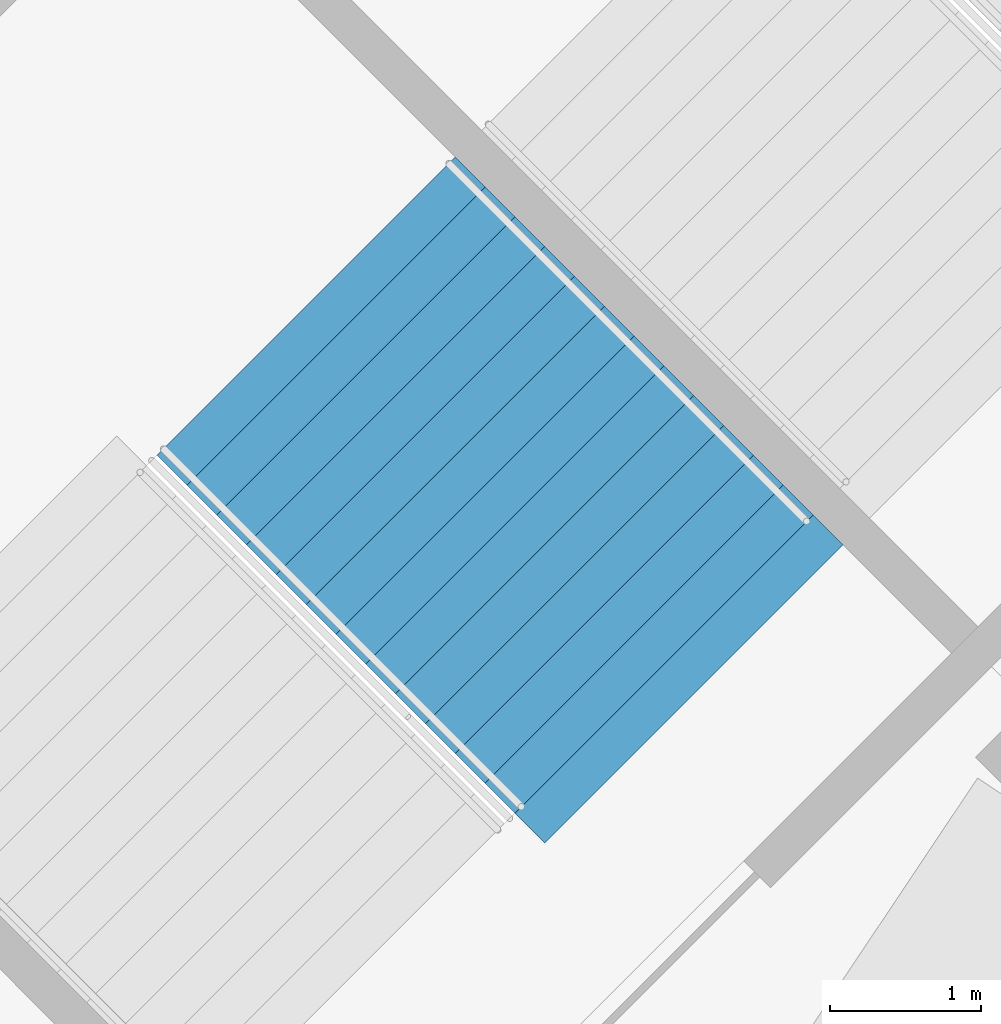
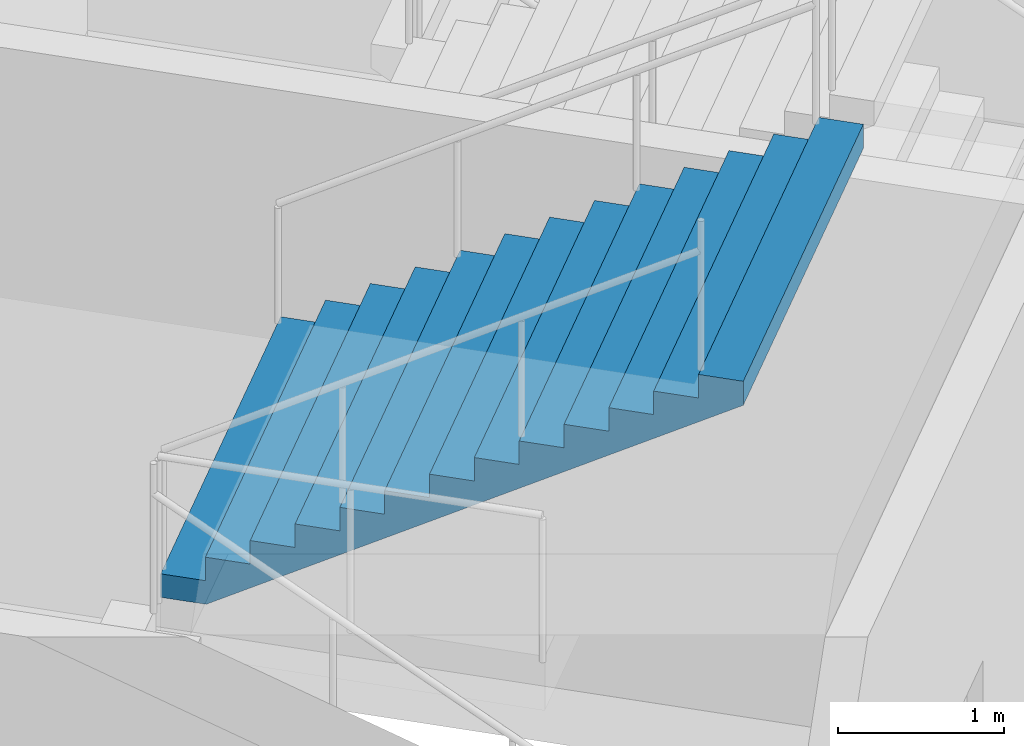
# One storey, part 156 of 199: 1 stair flight, 1 element without a shape of its own.
"""IFC4 building model written with IfcOpenShell, lengths in metres."""

from ifc_helpers import new_model, si_unit, direction, frame, origin, place, context, subcontext, project, spatial, faceted_brep, material, type_object, element, aggregate, save


model = new_model("IFC4")

# Units and contexts
model_context = context("Model", 3, precision=1e-05, world=origin(), true_north=direction((0.0, 1.0)))
body_context = subcontext(model_context, "Body", "Model", "MODEL_VIEW")
ifc_project = project(units=[si_unit("LENGTHUNIT", "METRE"), si_unit("AREAUNIT", "SQUARE_METRE"), si_unit("VOLUMEUNIT", "CUBIC_METRE"), si_unit("PLANEANGLEUNIT", "RADIAN"), si_unit("MASSUNIT", "GRAM", prefix="KILO")], contexts=[model_context])

# Site, building, storey
site_placement = place(None, origin())
site = spatial("IfcSite", under=ifc_project, at=site_placement, CompositionType="ELEMENT")
building_placement = place(site_placement, origin())
building = spatial("IfcBuilding", under=site, at=building_placement, Name="Ogive Plaza Stadium", CompositionType="ELEMENT")
storey_placement = place(building_placement, frame((0.0, 0.0, 9.0)))
storey = spatial("IfcBuildingStorey", under=building, at=storey_placement, Name="L02", CompositionType="ELEMENT", Elevation=9.0)

# Stair, stair flight
ifc_material_1 = material(Name="Concrete C40/50", Category="concrete")
stair_type = type_object("IfcStairType", Name="Exit stair", PredefinedType="STRAIGHT_RUN_STAIR", material=ifc_material_1)
stair_placement = place(storey_placement, origin())
stair = element("IfcStair", 1, at=stair_placement, inside=storey, type_object=stair_type, Name="Exit stair ST30B L02 to L03", PredefinedType="STRAIGHT_RUN_STAIR")
ifc_material_2 = material(Name="Concrete C40/50", Category="concrete")
stair_flight_type = type_object("IfcStairFlightType", Name="Exit stair flight", PredefinedType="STRAIGHT", material=ifc_material_2)
stair_flight_placement = place(storey_placement, frame((-67.400146484375, 83.743408203125, 2.25), z_axis=(0.0, 0.0, 1.0), x_axis=(0.707106781187, -0.707106781187, 0.0)))
stair_flight = element("IfcStairFlight", 2, at=stair_flight_placement, type_object=stair_flight_type, Name="ST30B flight 2", NumberOfRisers=13, NumberOfTreads=12, PredefinedType="STRAIGHT", RiserHeight=0.173076923, TreadLength=0.28, context=body_context, shape_type="Brep", body=[
    faceted_brep([(0.28515625, -1.39990234375, 0.0), (3.639892578125, -1.39990234375, 2.07373046875), (3.639892578125, -1.39990234375, 2.25), (3.360107421875, -1.39990234375, 2.25), (3.360107421875, -1.39990234375, 2.076904296875), (3.080078125, -1.39990234375, 2.076904296875), (3.080078125, -1.39990234375, 1.90380859375), (2.800048828125, -1.39990234375, 1.90380859375), (2.800048828125, -1.39990234375, 1.730712890625), (2.52001953125, -1.39990234375, 1.730712890625), (2.52001953125, -1.39990234375, 1.5576171875), (2.239990234375, -1.39990234375, 1.5576171875), (2.239990234375, -1.39990234375, 1.384521484375), (1.9599609375, -1.39990234375, 1.384521484375), (1.9599609375, -1.39990234375, 1.21142578125), (1.679931640625, -1.39990234375, 1.21142578125), (1.679931640625, -1.39990234375, 1.03857421875), (1.39990234375, -1.39990234375, 1.03857421875), (1.39990234375, -1.39990234375, 0.865478515625), (1.1201171875, -1.39990234375, 0.865478515625), (1.1201171875, -1.39990234375, 0.6923828125), (0.840087890625, -1.39990234375, 0.6923828125), (0.840087890625, -1.39990234375, 0.519287109375), (0.56005859375, -1.39990234375, 0.519287109375), (0.56005859375, -1.39990234375, 0.34619140625), (0.280029296875, -1.39990234375, 0.34619140625), (0.280029296875, -1.39990234375, 0.173095703125), (0.0, -1.39990234375, 0.173095703125), (0.0, -1.39990234375, 0.0), (0.0, 1.39990234375, 0.0), (0.0, 1.39990234375, 0.173095703125), (0.280029296875, 1.39990234375, 0.173095703125), (0.280029296875, 1.39990234375, 0.34619140625), (0.56005859375, 1.39990234375, 0.34619140625), (0.56005859375, 1.39990234375, 0.519287109375), (0.840087890625, 1.39990234375, 0.519287109375), (0.840087890625, 1.39990234375, 0.6923828125), (1.1201171875, 1.39990234375, 0.6923828125), (1.1201171875, 1.39990234375, 0.865478515625), (1.39990234375, 1.39990234375, 0.865478515625), (1.39990234375, 1.39990234375, 1.03857421875), (1.679931640625, 1.39990234375, 1.03857421875), (1.679931640625, 1.39990234375, 1.21142578125), (1.9599609375, 1.39990234375, 1.21142578125), (1.9599609375, 1.39990234375, 1.384521484375), (2.239990234375, 1.39990234375, 1.384521484375), (2.239990234375, 1.39990234375, 1.5576171875), (2.52001953125, 1.39990234375, 1.5576171875), (2.52001953125, 1.39990234375, 1.730712890625), (2.800048828125, 1.39990234375, 1.730712890625), (2.800048828125, 1.39990234375, 1.90380859375), (3.080078125, 1.39990234375, 1.90380859375), (3.080078125, 1.39990234375, 2.076904296875), (3.360107421875, 1.39990234375, 2.076904296875), (3.360107421875, 1.39990234375, 2.25), (3.639892578125, 1.39990234375, 2.25), (3.639892578125, 1.39990234375, 2.07373046875), (0.28515625, 1.39990234375, 0.0), (0.28515625, -1.0888671875, 0.0), (3.639892578125, -1.0888671875, 2.07373046875), (0.28515625, -0.77783203125, 0.0), (3.639892578125, -0.77783203125, 2.07373046875), (0.28515625, -0.466796875, 0.0), (3.639892578125, -0.466796875, 2.07373046875), (0.28515625, -0.155517578125, 0.0), (3.639892578125, -0.155517578125, 2.07373046875), (0.28515625, 0.155517578125, 0.0), (3.639892578125, 0.155517578125, 2.07373046875), (0.28515625, 0.466796875, 0.0), (3.639892578125, 0.466796875, 2.07373046875), (0.28515625, 0.77783203125, 0.0), (3.639892578125, 0.77783203125, 2.07373046875), (0.28515625, 1.0888671875, 0.0), (3.639892578125, 1.0888671875, 2.07373046875), (3.639892578125, -1.0888671875, 2.25), (3.639892578125, -0.77783203125, 2.25), (3.639892578125, -0.466796875, 2.25), (3.639892578125, -0.155517578125, 2.25), (3.639892578125, 0.155517578125, 2.25), (3.639892578125, 0.466796875, 2.25), (3.639892578125, 0.77783203125, 2.25), (3.639892578125, 1.0888671875, 2.25), (3.360107421875, -1.0888671875, 2.25), (3.360107421875, -0.77783203125, 2.25), (3.360107421875, -0.466796875, 2.25), (3.360107421875, -0.155517578125, 2.25), (3.360107421875, 0.155517578125, 2.25), (3.360107421875, 0.466796875, 2.25), (3.360107421875, 0.77783203125, 2.25), (3.360107421875, 1.0888671875, 2.25), (3.360107421875, -1.0888671875, 2.076904296875), (3.360107421875, -0.77783203125, 2.076904296875), (3.360107421875, -0.466796875, 2.076904296875), (3.360107421875, -0.155517578125, 2.076904296875), (3.360107421875, 0.155517578125, 2.076904296875), (3.360107421875, 0.466796875, 2.076904296875), (3.360107421875, 0.77783203125, 2.076904296875), (3.360107421875, 1.0888671875, 2.076904296875), (3.080078125, -1.0888671875, 2.076904296875), (3.080078125, -0.77783203125, 2.076904296875), (3.080078125, -0.466796875, 2.076904296875), (3.080078125, -0.155517578125, 2.076904296875), (3.080078125, 0.155517578125, 2.076904296875), (3.080078125, 0.466796875, 2.076904296875), (3.080078125, 0.77783203125, 2.076904296875), (3.080078125, 1.0888671875, 2.076904296875), (3.080078125, -1.0888671875, 1.90380859375), (3.080078125, -0.77783203125, 1.90380859375), (3.080078125, -0.466796875, 1.90380859375), (3.080078125, -0.155517578125, 1.90380859375), (3.080078125, 0.155517578125, 1.90380859375), (3.080078125, 0.466796875, 1.90380859375), (3.080078125, 0.77783203125, 1.90380859375), (3.080078125, 1.0888671875, 1.90380859375), (2.800048828125, -1.0888671875, 1.90380859375), (2.800048828125, -0.77783203125, 1.90380859375), (2.800048828125, -0.466796875, 1.90380859375), (2.800048828125, -0.155517578125, 1.90380859375), (2.800048828125, 0.155517578125, 1.90380859375), (2.800048828125, 0.466796875, 1.90380859375), (2.800048828125, 0.77783203125, 1.90380859375), (2.800048828125, 1.0888671875, 1.90380859375), (2.800048828125, -1.0888671875, 1.730712890625), (2.800048828125, -0.77783203125, 1.730712890625), (2.800048828125, -0.466796875, 1.730712890625), (2.800048828125, -0.155517578125, 1.730712890625), (2.800048828125, 0.155517578125, 1.730712890625), (2.800048828125, 0.466796875, 1.730712890625), (2.800048828125, 0.77783203125, 1.730712890625), (2.800048828125, 1.0888671875, 1.730712890625), (2.52001953125, -1.0888671875, 1.730712890625), (2.52001953125, -0.77783203125, 1.730712890625), (2.52001953125, -0.466796875, 1.730712890625), (2.52001953125, -0.155517578125, 1.730712890625), (2.52001953125, 0.155517578125, 1.730712890625), (2.52001953125, 0.466796875, 1.730712890625), (2.52001953125, 0.77783203125, 1.730712890625), (2.52001953125, 1.0888671875, 1.730712890625), (2.52001953125, -1.0888671875, 1.5576171875), (2.52001953125, -0.77783203125, 1.5576171875), (2.52001953125, -0.466796875, 1.5576171875), (2.52001953125, -0.155517578125, 1.5576171875), (2.52001953125, 0.155517578125, 1.5576171875), (2.52001953125, 0.466796875, 1.5576171875), (2.52001953125, 0.77783203125, 1.5576171875), (2.52001953125, 1.0888671875, 1.5576171875), (2.239990234375, -1.0888671875, 1.5576171875), (2.239990234375, -0.77783203125, 1.5576171875), (2.239990234375, -0.466796875, 1.5576171875), (2.239990234375, -0.155517578125, 1.5576171875), (2.239990234375, 0.155517578125, 1.5576171875), (2.239990234375, 0.466796875, 1.5576171875), (2.239990234375, 0.77783203125, 1.5576171875), (2.239990234375, 1.0888671875, 1.5576171875), (2.239990234375, -1.0888671875, 1.384521484375), (2.239990234375, -0.77783203125, 1.384521484375), (2.239990234375, -0.466796875, 1.384521484375), (2.239990234375, -0.155517578125, 1.384521484375), (2.239990234375, 0.155517578125, 1.384521484375), (2.239990234375, 0.466796875, 1.384521484375), (2.239990234375, 0.77783203125, 1.384521484375), (2.239990234375, 1.0888671875, 1.384521484375), (1.9599609375, -1.0888671875, 1.384521484375), (1.9599609375, -0.77783203125, 1.384521484375), (1.9599609375, -0.466796875, 1.384521484375), (1.9599609375, -0.155517578125, 1.384521484375), (1.9599609375, 0.155517578125, 1.384521484375), (1.9599609375, 0.466796875, 1.384521484375), (1.9599609375, 0.77783203125, 1.384521484375), (1.9599609375, 1.0888671875, 1.384521484375), (1.9599609375, -1.0888671875, 1.21142578125), (1.9599609375, -0.77783203125, 1.21142578125), (1.9599609375, -0.466796875, 1.21142578125), (1.9599609375, -0.155517578125, 1.21142578125), (1.9599609375, 0.155517578125, 1.21142578125), (1.9599609375, 0.466796875, 1.21142578125), (1.9599609375, 0.77783203125, 1.21142578125), (1.9599609375, 1.0888671875, 1.21142578125), (1.679931640625, -1.0888671875, 1.21142578125), (1.679931640625, -0.77783203125, 1.21142578125), (1.679931640625, -0.466796875, 1.21142578125), (1.679931640625, -0.155517578125, 1.21142578125), (1.679931640625, 0.155517578125, 1.21142578125), (1.679931640625, 0.466796875, 1.21142578125), (1.679931640625, 0.77783203125, 1.21142578125), (1.679931640625, 1.0888671875, 1.21142578125), (1.679931640625, -1.0888671875, 1.03857421875), (1.679931640625, -0.77783203125, 1.03857421875), (1.679931640625, -0.466796875, 1.03857421875), (1.679931640625, -0.155517578125, 1.03857421875), (1.679931640625, 0.155517578125, 1.03857421875), (1.679931640625, 0.466796875, 1.03857421875), (1.679931640625, 0.77783203125, 1.03857421875), (1.679931640625, 1.0888671875, 1.03857421875), (1.39990234375, -1.0888671875, 1.03857421875), (1.39990234375, -0.77783203125, 1.03857421875), (1.39990234375, -0.466796875, 1.03857421875), (1.39990234375, -0.155517578125, 1.03857421875), (1.39990234375, 0.155517578125, 1.03857421875), (1.39990234375, 0.466796875, 1.03857421875), (1.39990234375, 0.77783203125, 1.03857421875), (1.39990234375, 1.0888671875, 1.03857421875), (1.39990234375, -1.0888671875, 0.865478515625), (1.39990234375, -0.77783203125, 0.865478515625), (1.39990234375, -0.466796875, 0.865478515625), (1.39990234375, -0.155517578125, 0.865478515625), (1.39990234375, 0.155517578125, 0.865478515625), (1.39990234375, 0.466796875, 0.865478515625), (1.39990234375, 0.77783203125, 0.865478515625), (1.39990234375, 1.0888671875, 0.865478515625), (1.1201171875, -1.0888671875, 0.865478515625), (1.1201171875, -0.77783203125, 0.865478515625), (1.1201171875, -0.466796875, 0.865478515625), (1.1201171875, -0.155517578125, 0.865478515625), (1.1201171875, 0.155517578125, 0.865478515625), (1.1201171875, 0.466796875, 0.865478515625), (1.1201171875, 0.77783203125, 0.865478515625), (1.1201171875, 1.0888671875, 0.865478515625), (1.1201171875, -1.0888671875, 0.6923828125), (1.1201171875, -0.77783203125, 0.6923828125), (1.1201171875, -0.466796875, 0.6923828125), (1.1201171875, -0.155517578125, 0.6923828125), (1.1201171875, 0.155517578125, 0.6923828125), (1.1201171875, 0.466796875, 0.6923828125), (1.1201171875, 0.77783203125, 0.6923828125), (1.1201171875, 1.0888671875, 0.6923828125), (0.840087890625, -1.0888671875, 0.6923828125), (0.840087890625, -0.77783203125, 0.6923828125), (0.840087890625, -0.466796875, 0.6923828125), (0.840087890625, -0.155517578125, 0.6923828125), (0.840087890625, 0.155517578125, 0.6923828125), (0.840087890625, 0.466796875, 0.6923828125), (0.840087890625, 0.77783203125, 0.6923828125), (0.840087890625, 1.0888671875, 0.6923828125), (0.840087890625, -1.0888671875, 0.519287109375), (0.840087890625, -0.77783203125, 0.519287109375), (0.840087890625, -0.466796875, 0.519287109375), (0.840087890625, -0.155517578125, 0.519287109375), (0.840087890625, 0.155517578125, 0.519287109375), (0.840087890625, 0.466796875, 0.519287109375), (0.840087890625, 0.77783203125, 0.519287109375), (0.840087890625, 1.0888671875, 0.519287109375), (0.56005859375, -1.0888671875, 0.519287109375), (0.56005859375, -0.77783203125, 0.519287109375), (0.56005859375, -0.466796875, 0.519287109375), (0.56005859375, -0.155517578125, 0.519287109375), (0.56005859375, 0.155517578125, 0.519287109375), (0.56005859375, 0.466796875, 0.519287109375), (0.56005859375, 0.77783203125, 0.519287109375), (0.56005859375, 1.0888671875, 0.519287109375), (0.56005859375, -1.0888671875, 0.34619140625), (0.56005859375, -0.77783203125, 0.34619140625), (0.56005859375, -0.466796875, 0.34619140625), (0.56005859375, -0.155517578125, 0.34619140625), (0.56005859375, 0.155517578125, 0.34619140625), (0.56005859375, 0.466796875, 0.34619140625), (0.56005859375, 0.77783203125, 0.34619140625), (0.56005859375, 1.0888671875, 0.34619140625), (0.280029296875, -1.0888671875, 0.34619140625), (0.280029296875, -0.77783203125, 0.34619140625), (0.280029296875, -0.466796875, 0.34619140625), (0.280029296875, -0.155517578125, 0.34619140625), (0.280029296875, 0.155517578125, 0.34619140625), (0.280029296875, 0.466796875, 0.34619140625), (0.280029296875, 0.77783203125, 0.34619140625), (0.280029296875, 1.0888671875, 0.34619140625), (0.280029296875, -1.0888671875, 0.173095703125), (0.280029296875, -0.77783203125, 0.173095703125), (0.280029296875, -0.466796875, 0.173095703125), (0.280029296875, -0.155517578125, 0.173095703125), (0.280029296875, 0.155517578125, 0.173095703125), (0.280029296875, 0.466796875, 0.173095703125), (0.280029296875, 0.77783203125, 0.173095703125), (0.280029296875, 1.0888671875, 0.173095703125), (0.0, -1.0888671875, 0.173095703125), (0.0, -0.77783203125, 0.173095703125), (0.0, -0.466796875, 0.173095703125), (0.0, -0.155517578125, 0.173095703125), (0.0, 0.155517578125, 0.173095703125), (0.0, 0.466796875, 0.173095703125), (0.0, 0.77783203125, 0.173095703125), (0.0, 1.0888671875, 0.173095703125), (0.0, -1.0888671875, 0.0), (0.0, -0.77783203125, 0.0), (0.0, -0.466796875, 0.0), (0.0, -0.155517578125, 0.0), (0.0, 0.155517578125, 0.0), (0.0, 0.466796875, 0.0), (0.0, 0.77783203125, 0.0), (0.0, 1.0888671875, 0.0)], [[[0, 1, 2, 3, 4, 5, 6, 7, 8, 9, 10, 11, 12, 13, 14, 15, 16, 17, 18, 19, 20, 21, 22, 23, 24, 25, 26, 27, 28]], [[29, 30, 31, 32, 33, 34, 35, 36, 37, 38, 39, 40, 41, 42, 43, 44, 45, 46, 47, 48, 49, 50, 51, 52, 53, 54, 55, 56, 57]], [[0, 58, 59, 1]], [[58, 60, 61, 59]], [[60, 62, 63, 61]], [[62, 64, 65, 63]], [[64, 66, 67, 65]], [[66, 68, 69, 67]], [[68, 70, 71, 69]], [[70, 72, 73, 71]], [[72, 57, 56, 73]], [[1, 59, 74, 2]], [[59, 61, 75, 74]], [[61, 63, 76, 75]], [[63, 65, 77, 76]], [[65, 67, 78, 77]], [[67, 69, 79, 78]], [[69, 71, 80, 79]], [[71, 73, 81, 80]], [[73, 56, 55, 81]], [[2, 74, 82, 3]], [[74, 75, 83, 82]], [[75, 76, 84, 83]], [[76, 77, 85, 84]], [[77, 78, 86, 85]], [[78, 79, 87, 86]], [[79, 80, 88, 87]], [[80, 81, 89, 88]], [[81, 55, 54, 89]], [[3, 82, 90, 4]], [[82, 83, 91, 90]], [[83, 84, 92, 91]], [[84, 85, 93, 92]], [[85, 86, 94, 93]], [[86, 87, 95, 94]], [[87, 88, 96, 95]], [[88, 89, 97, 96]], [[89, 54, 53, 97]], [[4, 90, 98, 5]], [[90, 91, 99, 98]], [[91, 92, 100, 99]], [[92, 93, 101, 100]], [[93, 94, 102, 101]], [[94, 95, 103, 102]], [[95, 96, 104, 103]], [[96, 97, 105, 104]], [[97, 53, 52, 105]], [[5, 98, 106, 6]], [[98, 99, 107, 106]], [[99, 100, 108, 107]], [[100, 101, 109, 108]], [[101, 102, 110, 109]], [[102, 103, 111, 110]], [[103, 104, 112, 111]], [[104, 105, 113, 112]], [[105, 52, 51, 113]], [[6, 106, 114, 7]], [[106, 107, 115, 114]], [[107, 108, 116, 115]], [[108, 109, 117, 116]], [[109, 110, 118, 117]], [[110, 111, 119, 118]], [[111, 112, 120, 119]], [[112, 113, 121, 120]], [[113, 51, 50, 121]], [[7, 114, 122, 8]], [[114, 115, 123, 122]], [[115, 116, 124, 123]], [[116, 117, 125, 124]], [[117, 118, 126, 125]], [[118, 119, 127, 126]], [[119, 120, 128, 127]], [[120, 121, 129, 128]], [[121, 50, 49, 129]], [[8, 122, 130, 9]], [[122, 123, 131, 130]], [[123, 124, 132, 131]], [[124, 125, 133, 132]], [[125, 126, 134, 133]], [[126, 127, 135, 134]], [[127, 128, 136, 135]], [[128, 129, 137, 136]], [[129, 49, 48, 137]], [[9, 130, 138, 10]], [[130, 131, 139, 138]], [[131, 132, 140, 139]], [[132, 133, 141, 140]], [[133, 134, 142, 141]], [[134, 135, 143, 142]], [[135, 136, 144, 143]], [[136, 137, 145, 144]], [[137, 48, 47, 145]], [[10, 138, 146, 11]], [[138, 139, 147, 146]], [[139, 140, 148, 147]], [[140, 141, 149, 148]], [[141, 142, 150, 149]], [[142, 143, 151, 150]], [[143, 144, 152, 151]], [[144, 145, 153, 152]], [[145, 47, 46, 153]], [[11, 146, 154, 12]], [[146, 147, 155, 154]], [[147, 148, 156, 155]], [[148, 149, 157, 156]], [[149, 150, 158, 157]], [[150, 151, 159, 158]], [[151, 152, 160, 159]], [[152, 153, 161, 160]], [[153, 46, 45, 161]], [[12, 154, 162, 13]], [[154, 155, 163, 162]], [[155, 156, 164, 163]], [[156, 157, 165, 164]], [[157, 158, 166, 165]], [[158, 159, 167, 166]], [[159, 160, 168, 167]], [[160, 161, 169, 168]], [[161, 45, 44, 169]], [[13, 162, 170, 14]], [[162, 163, 171, 170]], [[163, 164, 172, 171]], [[164, 165, 173, 172]], [[165, 166, 174, 173]], [[166, 167, 175, 174]], [[167, 168, 176, 175]], [[168, 169, 177, 176]], [[169, 44, 43, 177]], [[14, 170, 178, 15]], [[170, 171, 179, 178]], [[171, 172, 180, 179]], [[172, 173, 181, 180]], [[173, 174, 182, 181]], [[174, 175, 183, 182]], [[175, 176, 184, 183]], [[176, 177, 185, 184]], [[177, 43, 42, 185]], [[15, 178, 186, 16]], [[178, 179, 187, 186]], [[179, 180, 188, 187]], [[180, 181, 189, 188]], [[181, 182, 190, 189]], [[182, 183, 191, 190]], [[183, 184, 192, 191]], [[184, 185, 193, 192]], [[185, 42, 41, 193]], [[16, 186, 194, 17]], [[186, 187, 195, 194]], [[187, 188, 196, 195]], [[188, 189, 197, 196]], [[189, 190, 198, 197]], [[190, 191, 199, 198]], [[191, 192, 200, 199]], [[192, 193, 201, 200]], [[193, 41, 40, 201]], [[17, 194, 202, 18]], [[194, 195, 203, 202]], [[195, 196, 204, 203]], [[196, 197, 205, 204]], [[197, 198, 206, 205]], [[198, 199, 207, 206]], [[199, 200, 208, 207]], [[200, 201, 209, 208]], [[201, 40, 39, 209]], [[18, 202, 210, 19]], [[202, 203, 211, 210]], [[203, 204, 212, 211]], [[204, 205, 213, 212]], [[205, 206, 214, 213]], [[206, 207, 215, 214]], [[207, 208, 216, 215]], [[208, 209, 217, 216]], [[209, 39, 38, 217]], [[19, 210, 218, 20]], [[210, 211, 219, 218]], [[211, 212, 220, 219]], [[212, 213, 221, 220]], [[213, 214, 222, 221]], [[214, 215, 223, 222]], [[215, 216, 224, 223]], [[216, 217, 225, 224]], [[217, 38, 37, 225]], [[20, 218, 226, 21]], [[218, 219, 227, 226]], [[219, 220, 228, 227]], [[220, 221, 229, 228]], [[221, 222, 230, 229]], [[222, 223, 231, 230]], [[223, 224, 232, 231]], [[224, 225, 233, 232]], [[225, 37, 36, 233]], [[21, 226, 234, 22]], [[226, 227, 235, 234]], [[227, 228, 236, 235]], [[228, 229, 237, 236]], [[229, 230, 238, 237]], [[230, 231, 239, 238]], [[231, 232, 240, 239]], [[232, 233, 241, 240]], [[233, 36, 35, 241]], [[22, 234, 242, 23]], [[234, 235, 243, 242]], [[235, 236, 244, 243]], [[236, 237, 245, 244]], [[237, 238, 246, 245]], [[238, 239, 247, 246]], [[239, 240, 248, 247]], [[240, 241, 249, 248]], [[241, 35, 34, 249]], [[23, 242, 250, 24]], [[242, 243, 251, 250]], [[243, 244, 252, 251]], [[244, 245, 253, 252]], [[245, 246, 254, 253]], [[246, 247, 255, 254]], [[247, 248, 256, 255]], [[248, 249, 257, 256]], [[249, 34, 33, 257]], [[24, 250, 258, 25]], [[250, 251, 259, 258]], [[251, 252, 260, 259]], [[252, 253, 261, 260]], [[253, 254, 262, 261]], [[254, 255, 263, 262]], [[255, 256, 264, 263]], [[256, 257, 265, 264]], [[257, 33, 32, 265]], [[25, 258, 266, 26]], [[258, 259, 267, 266]], [[259, 260, 268, 267]], [[260, 261, 269, 268]], [[261, 262, 270, 269]], [[262, 263, 271, 270]], [[263, 264, 272, 271]], [[264, 265, 273, 272]], [[265, 32, 31, 273]], [[26, 266, 274, 27]], [[266, 267, 275, 274]], [[267, 268, 276, 275]], [[268, 269, 277, 276]], [[269, 270, 278, 277]], [[270, 271, 279, 278]], [[271, 272, 280, 279]], [[272, 273, 281, 280]], [[273, 31, 30, 281]], [[27, 274, 282, 28]], [[274, 275, 283, 282]], [[275, 276, 284, 283]], [[276, 277, 285, 284]], [[277, 278, 286, 285]], [[278, 279, 287, 286]], [[279, 280, 288, 287]], [[280, 281, 289, 288]], [[281, 30, 29, 289]], [[28, 282, 58, 0]], [[282, 283, 60, 58]], [[283, 284, 62, 60]], [[284, 285, 64, 62]], [[285, 286, 66, 64]], [[286, 287, 68, 66]], [[287, 288, 70, 68]], [[288, 289, 72, 70]], [[289, 29, 57, 72]]]),
])
aggregate(stair, [stair_flight])

save(model, "model.ifc")
